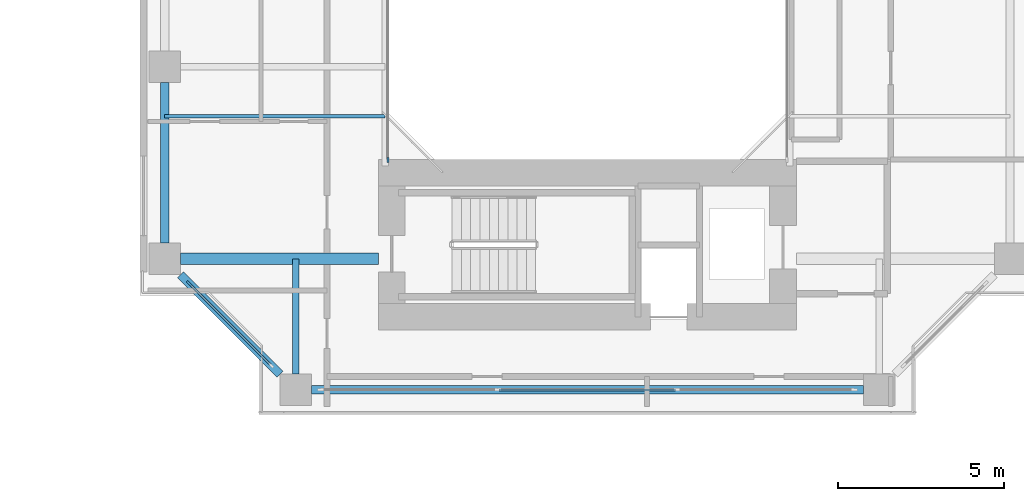
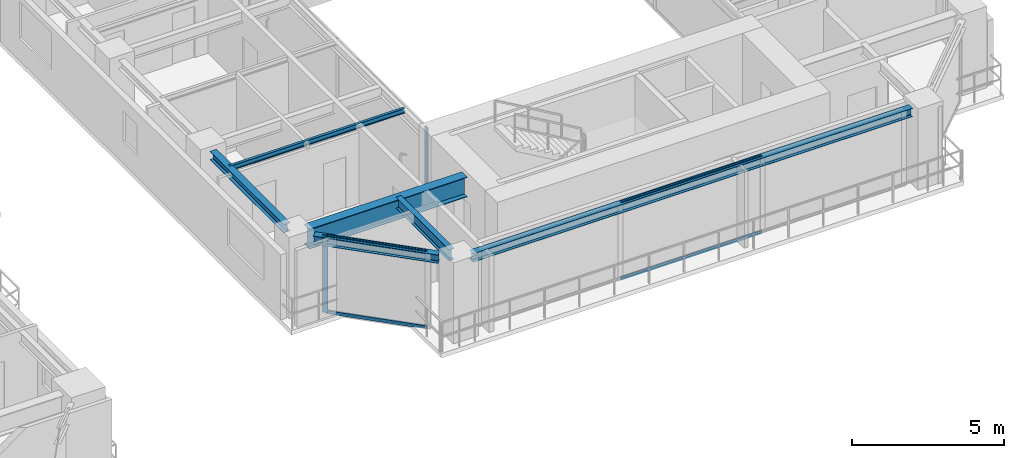
# One storey, part 6 of 23: 6 beams, 6 members, 3 elements without a shape of their own.
"""IFC4 building model written with IfcOpenShell, lengths in metres."""

from ifc_helpers import new_model, si_unit, direction, frame, origin, origin_2d, place, context, subcontext, project, spatial, rectangle, i_section, extrude, source, transform, mapped, material, layer, layer_set, material_profile, profile_set, type_object, element, aggregate, save


model = new_model("IFC4")

# Units and contexts
model_context = context("Model", 3, precision=1e-05, world=origin(), true_north=direction((0.0, 1.0)))
body_context = subcontext(model_context, "Body", "Model", "MODEL_VIEW")
ifc_project = project(units=[si_unit("LENGTHUNIT", "METRE"), si_unit("AREAUNIT", "SQUARE_METRE"), si_unit("VOLUMEUNIT", "CUBIC_METRE"), si_unit("PLANEANGLEUNIT", "RADIAN"), si_unit("MASSUNIT", "GRAM", prefix="KILO"), si_unit("THERMODYNAMICTEMPERATUREUNIT", "KELVIN"), si_unit("POWERUNIT", "WATT")], contexts=[model_context])

# Site, building, storey
site_placement = place(None, origin())
site = spatial("IfcSite", under=ifc_project, at=site_placement, CompositionType="ELEMENT")
building_placement = place(site_placement, origin())
building = spatial("IfcBuilding", under=site, at=building_placement, Name="Qiaomeng Ring Towers", CompositionType="ELEMENT")
storey_placement = place(building_placement, frame((0.0, 0.0, 32.75)))
storey = spatial("IfcBuildingStorey", under=building, at=storey_placement, Name="L08", CompositionType="ELEMENT", Elevation=32.75)

# Beams
ifc_material_1 = material(Name="Steel Q355B", Category="steel")
ifc_material_profile_1 = material_profile(ifc_material_1, i_section(OverallWidth=0.25, OverallDepth=0.340087890625, WebThickness=0.009033203125, FlangeThickness=0.013916015625, FilletRadius=0.02001953125, at=origin_2d()), Name="HM 340x250x9x14")
ifc_profile_set_1 = profile_set([ifc_material_profile_1], Name="Steel Q355B")
beam_type_1 = type_object("IfcBeamType", Name="STR-BM-HM340", PredefinedType="SPANDREL", material=ifc_profile_set_1)
shared_shape_1 = source(origin(), body_context, "Body", "SweptSolid", [
    extrude(i_section(OverallWidth=0.25, OverallDepth=0.340087890625, WebThickness=0.009033203125, FlangeThickness=0.013916015625, FilletRadius=0.02001953125, at=origin_2d()), origin(), (0.0, 0.0, 1.0), 16.65185546875),
])
beam_1_placement = place(storey_placement, frame((52.174072265625, 10.25, 2.89990234375), z_axis=(1.0, 0.0, 0.0), x_axis=(0.0, 1.0, 0.0)))
element("IfcBeam", 1, at=beam_1_placement, inside=storey, type_object=beam_type_1, Name="L08 beam STR-SP-L08-T2-S1-S2", PredefinedType="SPANDREL", context=body_context, shape_type="MappedRepresentation", body=[
    mapped(shared_shape_1, transform((0.0, 0.0, 0.0), x_axis=(1.0, 0.0, 0.0), y_axis=(0.0, 1.0, 0.0), z_axis=(0.0, 0.0, 1.0), scale=1.0)),
])
shared_shape_2 = source(origin(), body_context, "Body", "SweptSolid", [
    extrude(i_section(OverallWidth=0.25, OverallDepth=0.340087890625, WebThickness=0.009033203125, FlangeThickness=0.013916015625, FilletRadius=0.02001953125, at=origin_2d()), origin(), (0.0, 0.0, 1.0), 4.244384765625),
])
beam_2_placement = place(storey_placement, frame((48.224365234375, 13.7255859375, 2.89990234375), z_axis=(0.707106781187, -0.707106781187, 0.0), x_axis=(0.707106781187, 0.707106781187, 0.0)))
element("IfcBeam", 2, at=beam_2_placement, inside=storey, type_object=beam_type_1, Name="L08 beam STR-SP-L08-T2-W1-S1", PredefinedType="SPANDREL", context=body_context, shape_type="MappedRepresentation", body=[
    mapped(shared_shape_2, transform((0.0, 0.0, 0.0), x_axis=(1.0, 0.0, 0.0), y_axis=(0.0, 1.0, 0.0), z_axis=(0.0, 0.0, 1.0), scale=1.0)),
])
shared_shape_3 = source(origin(), body_context, "Body", "SweptSolid", [
    extrude(i_section(OverallWidth=0.25, OverallDepth=0.340087890625, WebThickness=0.009033203125, FlangeThickness=0.013916015625, FilletRadius=0.02001953125, at=origin_2d()), origin(), (0.0, 0.0, 1.0), 4.851806640625),
])
beam_3_placement = place(storey_placement, frame((47.75, 19.52587890625, 2.89990234375), z_axis=(0.0, -1.0, 0.0), x_axis=(1.0, 0.0, 0.0)))
element("IfcBeam", 3, at=beam_3_placement, inside=storey, type_object=beam_type_1, Name="L08 beam STR-SP-L08-T2-W2-W1", PredefinedType="SPANDREL", context=body_context, shape_type="MappedRepresentation", body=[
    mapped(shared_shape_3, transform((0.0, 0.0, 0.0), x_axis=(1.0, 0.0, 0.0), y_axis=(0.0, 1.0, 0.0), z_axis=(0.0, 0.0, 1.0), scale=1.0)),
])
ifc_material_2 = material(Name="Steel Q390GJC", Category="steel")
ifc_material_profile_2 = material_profile(ifc_material_2, i_section(OverallWidth=0.35009765625, OverallDepth=0.800048828125, WebThickness=0.01611328125, FlangeThickness=0.028076171875, at=origin_2d()), Name="WH 800x350x16x28")
ifc_profile_set_2 = profile_set([ifc_material_profile_2], Name="Steel Q390GJC")
beam_type_2 = type_object("IfcBeamType", Name="STR-BM-WH800", PredefinedType="BEAM", material=ifc_profile_set_2)
shared_shape_4 = source(origin(), body_context, "Body", "SweptSolid", [
    extrude(i_section(OverallWidth=0.35009765625, OverallDepth=0.800048828125, WebThickness=0.01611328125, FlangeThickness=0.028076171875, at=origin_2d()), origin(), (0.0, 0.0, 1.0), 5.975830078125),
])
beam_4_placement = place(storey_placement, frame((48.22412109375, 14.199951171875, 2.669921875), z_axis=(1.0, 0.0, 0.0), x_axis=(0.0, 1.0, 0.0)))
element("IfcBeam", 4, at=beam_4_placement, inside=storey, type_object=beam_type_2, Name="L08 beam STR-BM-L08-T2-RAD-W1", PredefinedType="BEAM", context=body_context, shape_type="MappedRepresentation", body=[
    mapped(shared_shape_4, transform((0.0, 0.0, 0.0), x_axis=(1.0, 0.0, 0.0), y_axis=(0.0, 1.0, 0.0), z_axis=(0.0, 0.0, 1.0), scale=1.0)),
])
ifc_material_profile_3 = material_profile(ifc_material_1, i_section(OverallWidth=0.199951171875, OverallDepth=0.449951171875, WebThickness=0.009033203125, FlangeThickness=0.013916015625, FilletRadius=0.01806640625, at=origin_2d()), Name="HN 450x200x9x14")
ifc_profile_set_3 = profile_set([ifc_material_profile_3], Name="Steel Q355B")
beam_type_3 = type_object("IfcBeamType", Name="STR-BM-HN450", PredefinedType="SPANDREL", material=ifc_profile_set_3)
shared_shape_5 = source(origin(), body_context, "Body", "SweptSolid", [
    extrude(i_section(OverallWidth=0.199951171875, OverallDepth=0.449951171875, WebThickness=0.009033203125, FlangeThickness=0.013916015625, FilletRadius=0.01806640625, at=origin_2d()), origin(), (0.0, 0.0, 1.0), 3.475830078125),
])
beam_5_placement = place(storey_placement, frame((51.699951171875, 10.72412109375, 2.844970703125), z_axis=(0.0, 1.0, 0.0), x_axis=(-1.0, 0.0, 0.0)))
element("IfcBeam", 5, at=beam_5_placement, inside=storey, type_object=beam_type_3, Name="L08 beam STR-BM-L08-T2-RAD-S1", PredefinedType="SPANDREL", context=body_context, shape_type="MappedRepresentation", body=[
    mapped(shared_shape_5, transform((0.0, 0.0, 0.0), x_axis=(1.0, 0.0, 0.0), y_axis=(0.0, 1.0, 0.0), z_axis=(0.0, 0.0, 1.0), scale=1.0)),
])
ifc_material_profile_4 = material_profile(ifc_material_1, i_section(OverallWidth=0.10009765625, OverallDepth=0.199951171875, WebThickness=0.005615234375, FlangeThickness=0.008056640625, FilletRadius=0.010986328125, at=origin_2d()), Name="HN 200x100x5.5x8")
ifc_profile_set_4 = profile_set([ifc_material_profile_4], Name="Steel Q355B")
beam_type_4 = type_object("IfcBeamType", Name="STR-BM-HN200", PredefinedType="JOIST", material=ifc_profile_set_4)
shared_shape_6 = source(origin(), body_context, "Body", "SweptSolid", [
    extrude(i_section(OverallWidth=0.10009765625, OverallDepth=0.199951171875, WebThickness=0.005615234375, FlangeThickness=0.008056640625, FilletRadius=0.010986328125, at=origin_2d()), origin(), (0.0, 0.0, 1.0), 6.64990234375),
])
beam_6_placement = place(storey_placement, frame((47.75, 18.5, 2.969970703125), z_axis=(1.0, 0.0, 0.0), x_axis=(0.0, 1.0, 0.0)))
element("IfcBeam", 6, at=beam_6_placement, inside=storey, type_object=beam_type_4, Name="L08 beam STR-JST-L08-T2W-1", PredefinedType="JOIST", context=body_context, shape_type="MappedRepresentation", body=[
    mapped(shared_shape_6, transform((0.0, 0.0, 0.0), x_axis=(1.0, 0.0, 0.0), y_axis=(0.0, 1.0, 0.0), z_axis=(0.0, 0.0, 1.0), scale=1.0)),
])

# Curtain wall, member
ifc_material_3 = material(Name="Fluorocarbon dark-grey aluminium", Category="aluminium")
ifc_layer_1 = layer(ifc_material_3, 0.139892578125, Name="Fluorocarbon dark-grey aluminium")
ifc_layer_set_1 = layer_set([ifc_layer_1], Name="Fluorocarbon dark-grey aluminium")
curtain_wall_type_1 = type_object("IfcCurtainWallType", Name="ARC-CW-4", PredefinedType="NOTDEFINED", material=ifc_layer_set_1)
curtain_wall_1_placement = place(storey_placement, origin())
curtain_wall_1 = element("IfcCurtainWall", 7, at=curtain_wall_1_placement, inside=storey, type_object=curtain_wall_type_1, Name="L08 Curtain Wall CW4", PredefinedType="NOTDEFINED")
ifc_material_profile_5 = material_profile(ifc_material_3, rectangle(XDim=0.06494140625, YDim=0.159912109375, at=origin_2d()), Name="ALU MULL 65x160")
ifc_profile_set_5 = profile_set([ifc_material_profile_5], Name="Fluorocarbon dark-grey aluminium")
member_type_1 = type_object("IfcMemberType", Name="ARC-CWM-140", PredefinedType="MULLION", material=ifc_profile_set_5)
shared_shape_7 = source(origin(), body_context, "Body", "SweptSolid", [
    extrude(rectangle(XDim=0.06494140625, YDim=0.159912109375, at=origin_2d()), origin(), (0.0, 0.0, 1.0), 3.070068359375),
])
member_1_placement = place(storey_placement, frame((54.47998046875, 17.1826171875, 0.0), z_axis=(0.0, 0.0, 1.0), x_axis=(-1.0, 0.0, 0.0)))
member_1 = element("IfcMember", 8, at=member_1_placement, type_object=member_type_1, Name="CW4 mullion 1", PredefinedType="MULLION", context=body_context, shape_type="MappedRepresentation", body=[
    mapped(shared_shape_7, transform((0.0, 0.0, 0.0), x_axis=(1.0, 0.0, 0.0), y_axis=(0.0, 1.0, 0.0), z_axis=(0.0, 0.0, 1.0), scale=1.0)),
])
aggregate(curtain_wall_1, [member_1])

ifc_layer_2 = layer(ifc_material_3, 0.14990234375, Name="Fluorocarbon dark-grey aluminium")
ifc_layer_set_2 = layer_set([ifc_layer_2], Name="Fluorocarbon dark-grey aluminium")
curtain_wall_type_2 = type_object("IfcCurtainWallType", Name="ARC-CW-5", PredefinedType="NOTDEFINED", material=ifc_layer_set_2)
curtain_wall_2_placement = place(storey_placement, origin())
curtain_wall_2 = element("IfcCurtainWall", 9, at=curtain_wall_2_placement, inside=storey, type_object=curtain_wall_type_2, Name="L08 Curtain Wall CW5", PredefinedType="NOTDEFINED")
ifc_material_profile_6 = material_profile(ifc_material_3, rectangle(XDim=0.070068359375, YDim=0.179931640625, at=origin_2d()), Name="ALU MULL 70x180")
ifc_profile_set_6 = profile_set([ifc_material_profile_6], Name="Fluorocarbon dark-grey aluminium")
member_type_2 = type_object("IfcMemberType", Name="ARC-CWM-160", PredefinedType="MULLION", material=ifc_profile_set_6)
shared_shape_8 = source(origin(), body_context, "Body", "SweptSolid", [
    extrude(rectangle(XDim=0.070068359375, YDim=0.179931640625, at=origin_2d()), origin(), (0.0, 0.0, 1.0), 3.070068359375),
])
member_2_placement = place(storey_placement, frame((48.48974609375, 13.460205078125, 0.0), z_axis=(0.0, 0.0, 1.0), x_axis=(0.707106781187, 0.707106781187, 0.0)))
member_2 = element("IfcMember", 10, at=member_2_placement, type_object=member_type_2, Name="CW5 mullion 1", PredefinedType="MULLION", context=body_context, shape_type="MappedRepresentation", body=[
    mapped(shared_shape_8, transform((0.0, 0.0, 0.0), x_axis=(1.0, 0.0, 0.0), y_axis=(0.0, 1.0, 0.0), z_axis=(0.0, 0.0, 1.0), scale=1.0)),
])

# Curtain wall, members
curtain_wall_3_placement = place(storey_placement, origin())
curtain_wall_3 = element("IfcCurtainWall", 11, at=curtain_wall_3_placement, inside=storey, type_object=curtain_wall_type_2, Name="L08 Curtain Wall CW5", PredefinedType="NOTDEFINED")
ifc_material_profile_7 = material_profile(ifc_material_3, rectangle(XDim=0.06494140625, YDim=0.1298828125, at=origin_2d()), Name="ALU TRAN 65x130")
ifc_profile_set_7 = profile_set([ifc_material_profile_7], Name="Fluorocarbon dark-grey aluminium")
member_type_3 = type_object("IfcMemberType", Name="ARC-CWT-120", PredefinedType="USERDEFINED", material=ifc_profile_set_7)
shared_shape_9 = source(origin(), body_context, "Body", "SweptSolid", [
    extrude(rectangle(XDim=0.06494140625, YDim=0.1298828125, at=origin_2d()), origin(), (0.0, 0.0, 1.0), 5.31982421875),
])
member_3_placement = place(storey_placement, frame((57.840087890625, 10.25, 0.032470703125), z_axis=(1.0, 0.0, 0.0), x_axis=(0.0, 1.0, 0.0)))
member_3 = element("IfcMember", 12, at=member_3_placement, type_object=member_type_3, Name="CW5 transom 2.1", ObjectType="TRANSOM", PredefinedType="USERDEFINED", context=body_context, shape_type="MappedRepresentation", body=[
    mapped(shared_shape_9, transform((0.0, 0.0, 0.0), x_axis=(1.0, 0.0, 0.0), y_axis=(0.0, 1.0, 0.0), z_axis=(0.0, 0.0, 1.0), scale=1.0)),
])
member_4_placement = place(storey_placement, frame((57.840087890625, 10.25, 3.03759765625), z_axis=(1.0, 0.0, 0.0), x_axis=(0.0, 1.0, 0.0)))
member_4 = element("IfcMember", 13, at=member_4_placement, type_object=member_type_3, Name="CW5 transom 2.2", ObjectType="TRANSOM", PredefinedType="USERDEFINED", context=body_context, shape_type="MappedRepresentation", body=[
    mapped(shared_shape_9, transform((0.0, 0.0, 0.0), x_axis=(1.0, 0.0, 0.0), y_axis=(0.0, 1.0, 0.0), z_axis=(0.0, 0.0, 1.0), scale=1.0)),
])
aggregate(curtain_wall_3, [member_3, member_4])

# Member
shared_shape_10 = source(origin(), body_context, "Body", "SweptSolid", [
    extrude(rectangle(XDim=0.06494140625, YDim=0.1298828125, at=origin_2d()), origin(), (0.0, 0.0, 1.0), 3.424072265625),
])
member_5_placement = place(storey_placement, frame((48.514404296875, 13.435546875, 0.032470703125), z_axis=(0.707106781187, -0.707106781187, 0.0), x_axis=(0.707106781187, 0.707106781187, 0.0)))
member_5 = element("IfcMember", 14, at=member_5_placement, type_object=member_type_3, Name="CW5 transom 1.1", ObjectType="TRANSOM", PredefinedType="USERDEFINED", context=body_context, shape_type="MappedRepresentation", body=[
    mapped(shared_shape_10, transform((0.0, 0.0, 0.0), x_axis=(1.0, 0.0, 0.0), y_axis=(0.0, 1.0, 0.0), z_axis=(0.0, 0.0, 1.0), scale=1.0)),
])

member_6_placement = place(storey_placement, frame((48.514404296875, 13.435546875, 3.03759765625), z_axis=(0.707106781187, -0.707106781187, 0.0), x_axis=(0.707106781187, 0.707106781187, 0.0)))
member_6 = element("IfcMember", 15, at=member_6_placement, type_object=member_type_3, Name="CW5 transom 1.2", ObjectType="TRANSOM", PredefinedType="USERDEFINED", context=body_context, shape_type="MappedRepresentation", body=[
    mapped(shared_shape_10, transform((0.0, 0.0, 0.0), x_axis=(1.0, 0.0, 0.0), y_axis=(0.0, 1.0, 0.0), z_axis=(0.0, 0.0, 1.0), scale=1.0)),
])

aggregate(curtain_wall_2, [member_2, member_5, member_6])

save(model, "model.ifc")
